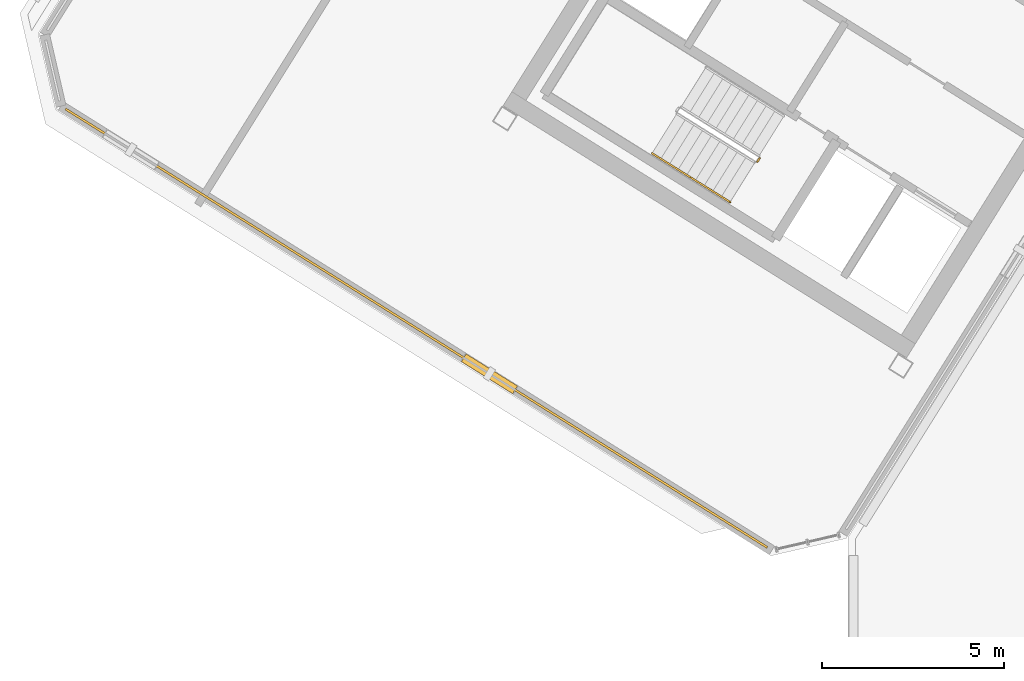
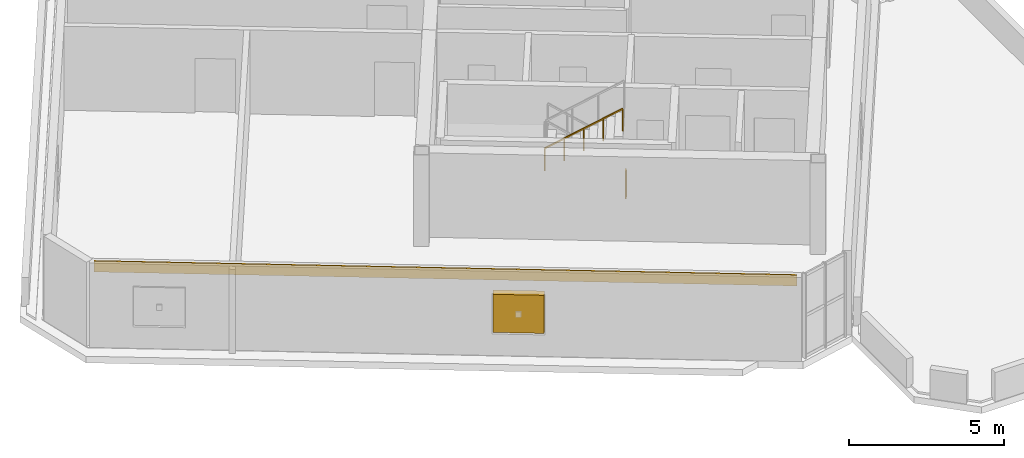
# One storey, part 6 of 8: 3 railings, 1 covering, 1 shading device.
"""IFC4 building model written with IfcOpenShell, lengths in metres."""

from ifc_helpers import new_model, si_unit, direction, frame, origin, origin_2d, place, context, subcontext, project, spatial, rectangle, extrude, source, transform, mapped, material, layer, layer_set, type_object, element, save


model = new_model("IFC4")

# Units and contexts
model_context = context("Model", 3, precision=1e-05, world=origin(), true_north=direction((0.0, 1.0)))
body_context = subcontext(model_context, "Body", "Model", "MODEL_VIEW")
ifc_project = project(units=[si_unit("LENGTHUNIT", "METRE"), si_unit("AREAUNIT", "SQUARE_METRE"), si_unit("VOLUMEUNIT", "CUBIC_METRE"), si_unit("PLANEANGLEUNIT", "RADIAN"), si_unit("MASSUNIT", "GRAM", prefix="KILO")], contexts=[model_context])

# Site, building, storey
site_placement = place(None, origin())
site = spatial("IfcSite", under=ifc_project, at=site_placement, CompositionType="ELEMENT")
building_placement = place(site_placement, origin())
building = spatial("IfcBuilding", under=site, at=building_placement, Name="Tlacorven Tower", CompositionType="ELEMENT")
storey_placement = place(building_placement, frame((0.0, 0.0, 298.800048828125)))
storey = spatial("IfcBuildingStorey", under=building, at=storey_placement, Name="L76", CompositionType="ELEMENT", Elevation=298.800048828125)

# Shading device
ifc_material_1 = material(Name="Anodised bronze aluminium acoustic louvre", Category="aluminium")
shading_device_type = type_object("IfcShadingDeviceType", Name="SH-LVR-WND", PredefinedType="JALOUSIE", material=ifc_material_1)
shared_shape_1 = source(origin(), body_context, "Body", "SweptSolid", [
    extrude(rectangle(XDim=1.659912109375, YDim=0.25, at=origin_2d()), origin(), (0.0, 0.0, 1.0), 1.5),
])
shading_device_placement = place(storey_placement, frame((21.7666015625, 11.871337890625, 0.89990234375), z_axis=(0.0, 0.0, 1.0), x_axis=(-0.848048181088, 0.529919128313, 0.0)))
element("IfcShadingDevice", 1, at=shading_device_placement, inside=storey, type_object=shading_device_type, Name="L76 Storm-Resistant Acoustic Louvre Bank 2.1", PredefinedType="JALOUSIE", context=body_context, shape_type="MappedRepresentation", body=[
    mapped(shared_shape_1, transform((0.0, 0.0, 0.0), scale=1.0)),
])

# Covering
ifc_material_2 = material(Name="Precast concrete C45/55", Category="concrete")
ifc_layer = layer(ifc_material_2, 0.06005859375)
ifc_layer_set = layer_set([ifc_layer], Name="Precast concrete C45/55")
covering_type = type_object("IfcCoveringType", Name="CV-CLD-TERC", PredefinedType="CLADDING", material=ifc_layer_set)
shared_shape_2 = source(origin(), body_context, "Body", "SweptSolid", [
    extrude(rectangle(XDim=22.68408203125, YDim=0.06005859375, at=origin_2d()), origin(), (0.0, 0.0, 1.0), 0.419921875),
])
covering_placement = place(storey_placement, frame((19.766357421875, 13.121337890625, 2.89990234375), z_axis=(0.0, 0.0, 1.0), x_axis=(-0.848048181088, 0.529919128313, 0.0)))
element("IfcCovering", 2, at=covering_placement, inside=storey, type_object=covering_type, Name="L76 Masonry-Frame Spandrel Cladding 2", PredefinedType="CLADDING", context=body_context, shape_type="MappedRepresentation", body=[
    mapped(shared_shape_2, transform((0.0, 0.0, 0.0), scale=1.0)),
])

# Railings
ifc_material_3 = material(Name="Aluminium and painted steel balustrade", Category="steel")
railing_type_1 = type_object("IfcRailingType", Name="RL-GRD-1100", PredefinedType="GUARDRAIL", material=ifc_material_3)
shared_shape_3 = source(origin(), body_context, "Body", "SweptSolid", [
    extrude(rectangle(XDim=0.048095703125, YDim=0.048095703125, at=origin_2d()), frame((0.0, 0.0, 1.076171875), z_axis=(-0.529084052582, -0.848569422795, 0.0), x_axis=(0.848569422795, -0.529084052582, 0.0)), (0.0, 0.0, 1.0), 0.119873046875),
    extrude(rectangle(XDim=0.0419921875, YDim=0.0419921875, at=origin_2d()), origin(), (0.0, 0.0, 1.0), 1.052001953125),
    extrude(rectangle(XDim=0.0419921875, YDim=0.0419921875, at=origin_2d()), frame((-0.0634765625, -0.101806640625, 0.0)), (0.0, 0.0, 1.0), 1.052001953125),
])
railing_1_placement = place(storey_placement, frame((29.176513671875, 17.782958984375, 0.0)))
element("IfcRailing", 3, at=railing_1_placement, inside=storey, type_object=railing_type_1, Name="L76 ST-W1 stair guard 4", PredefinedType="GUARDRAIL", context=body_context, shape_type="MappedRepresentation", body=[
    mapped(shared_shape_3, transform((0.0, 0.0, 0.0), scale=1.0)),
])
railing_type_2 = type_object("IfcRailingType", Name="RL-HND-0900", PredefinedType="HANDRAIL", material=ifc_material_3)
shared_shape_4 = source(origin(), body_context, "Body", "SweptSolid", [
    extrude(rectangle(XDim=0.048095703125, YDim=0.048095703125, at=origin_2d()), frame((0.0, 0.0, 0.8759765625), z_axis=(0.713359751793, -0.4457479829, 0.540764828981), x_axis=(0.529911857636, 0.848052724267, 0.0)), (0.0, 0.0, 1.0), 1.498046875),
    extrude(rectangle(XDim=0.0419921875, YDim=0.0419921875, at=origin_2d()), origin(), (0.0, 0.0, 1.0), 0.851806640625),
    extrude(rectangle(XDim=0.0419921875, YDim=0.0419921875, at=origin_2d()), frame((0.5341796875, -0.333984375, 0.405029296875)), (0.0, 0.0, 1.0), 0.851806640625),
    extrude(rectangle(XDim=0.0419921875, YDim=0.0419921875, at=origin_2d()), frame((1.068603515625, -0.667724609375, 0.81005859375)), (0.0, 0.0, 1.0), 0.851806640625),
])
railing_2_placement = place(storey_placement, frame((26.228759765625, 17.915283203125, 1.97998046875)))
element("IfcRailing", 4, at=railing_2_placement, inside=storey, type_object=railing_type_2, Name="L76 ST-W1 stair handrail 3", PredefinedType="HANDRAIL", context=body_context, shape_type="MappedRepresentation", body=[
    mapped(shared_shape_4, transform((0.0, 0.0, 0.0), scale=1.0)),
])
shared_shape_5 = source(origin(), body_context, "Body", "SweptSolid", [
    extrude(rectangle(XDim=0.048095703125, YDim=0.048095703125, at=origin_2d()), frame((0.0, 0.0, 0.8759765625), z_axis=(0.713342573076, -0.445839108173, 0.540712366292), x_axis=(0.529998940003, 0.847998304005, 0.0)), (0.0, 0.0, 1.0), 1.49755859375),
    extrude(rectangle(XDim=0.0419921875, YDim=0.0419921875, at=origin_2d()), origin(), (0.0, 0.0, 1.0), 0.851806640625),
    extrude(rectangle(XDim=0.0419921875, YDim=0.0419921875, at=origin_2d()), frame((0.5341796875, -0.333984375, 0.40478515625)), (0.0, 0.0, 1.0), 0.851806640625),
    extrude(rectangle(XDim=0.0419921875, YDim=0.0419921875, at=origin_2d()), frame((1.068359375, -0.667724609375, 0.809814453125)), (0.0, 0.0, 1.0), 0.851806640625),
])
railing_3_placement = place(storey_placement, frame((27.29736328125, 17.24755859375, 2.7900390625)))
element("IfcRailing", 5, at=railing_3_placement, inside=storey, type_object=railing_type_2, Name="L76 ST-W1 stair handrail 4", PredefinedType="HANDRAIL", context=body_context, shape_type="MappedRepresentation", body=[
    mapped(shared_shape_5, transform((0.0, 0.0, 0.0), scale=1.0)),
])

save(model, "model.ifc")
